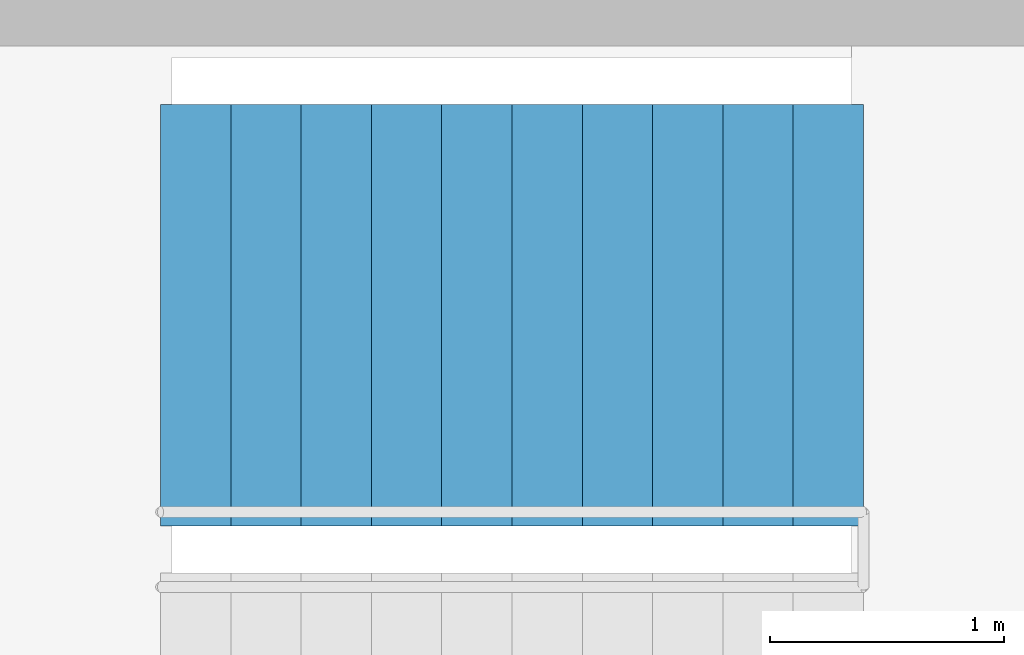
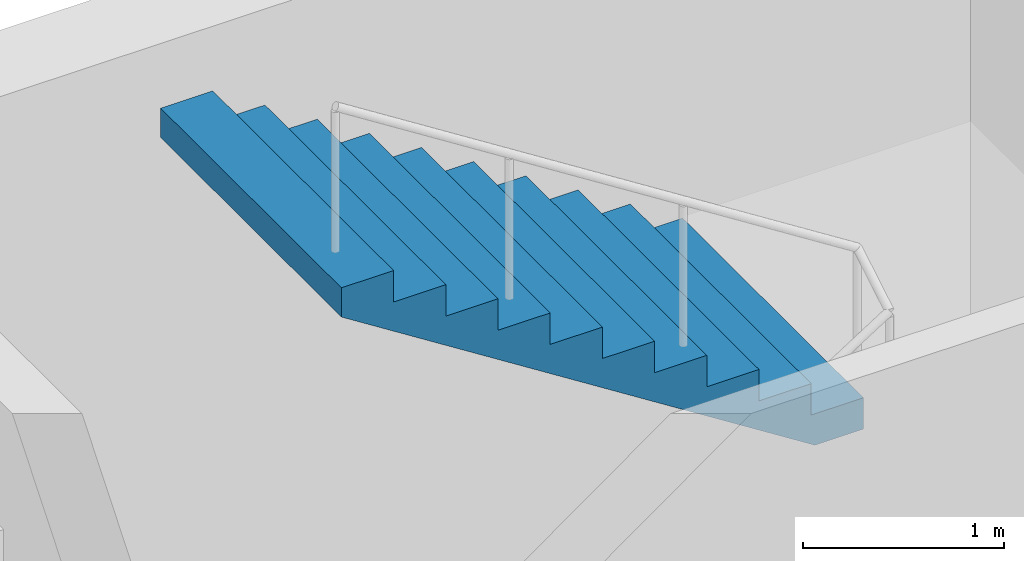
# One storey, part 13 of 16: 1 stair flight, 1 element without a shape of its own.
"""IFC4 building model written with IfcOpenShell, lengths in metres."""

from ifc_helpers import new_model, si_unit, direction, frame, origin, place, context, subcontext, project, spatial, polyline, outline, extrude, material, type_object, element, aggregate, save


model = new_model("IFC4")

# Units and contexts
model_context = context("Model", 3, precision=1e-05, world=origin(), true_north=direction((0.0, 1.0)))
body_context = subcontext(model_context, "Body", "Model", "MODEL_VIEW")
ifc_project = project(units=[si_unit("LENGTHUNIT", "METRE"), si_unit("AREAUNIT", "SQUARE_METRE"), si_unit("VOLUMEUNIT", "CUBIC_METRE"), si_unit("PLANEANGLEUNIT", "RADIAN"), si_unit("MASSUNIT", "GRAM", prefix="KILO")], contexts=[model_context])

# Site, building, storey
site_placement = place(None, origin())
site = spatial("IfcSite", under=ifc_project, at=site_placement, CompositionType="ELEMENT")
building_placement = place(site_placement, origin())
building = spatial("IfcBuilding", under=site, at=building_placement, Name="Crosswind Convention Tower", CompositionType="ELEMENT")
storey_placement = place(building_placement, frame((0.0, 0.0, 295.5)))
storey = spatial("IfcBuildingStorey", under=building, at=storey_placement, Name="L64", CompositionType="ELEMENT", Elevation=295.5)

# Stair, stair flight
ifc_material = material(Name="Concrete C40/50", Category="concrete")
stair_type = type_object("IfcStairType", Name="Exit stair 1800 wide, 2 flights of 11 risers", PredefinedType="HALF_TURN_STAIR", material=ifc_material)
stair_placement = place(storey_placement, origin())
stair = element("IfcStair", 1, at=stair_placement, inside=storey, type_object=stair_type, Name="Exit stair ST1 L64", ObjectType="ST5", PredefinedType="HALF_TURN_STAIR")
stair_flight_type = type_object("IfcStairFlightType", Name="Stair flight 1800 wide, 11 risers (SF4)", PredefinedType="STRAIGHT", material=ifc_material)
stair_flight_placement = place(storey_placement, frame((142.10009765625, 110.60009765625, 2.10009765625), z_axis=(0.0, 0.0, 1.0), x_axis=(-1.0, 0.0, 0.0)))
stair_flight = element("IfcStairFlight", 2, at=stair_flight_placement, type_object=stair_flight_type, Name="ST1 flight 2", NumberOfRisers=11, NumberOfTreads=10, PredefinedType="STRAIGHT", RiserHeight=0.190909091, TreadLength=0.3, context=body_context, shape_type="SweptSolid", body=[
    extrude(outline(polyline([(0.0, 0.0), (0.0, 0.19091796875), (0.300048828125, 0.19091796875), (0.300048828125, 0.3818359375), (0.60009765625, 0.3818359375), (0.60009765625, 0.57275390625), (0.89990234375, 0.57275390625), (0.89990234375, 0.763671875), (1.199951171875, 0.763671875), (1.199951171875, 0.95458984375), (1.5, 0.95458984375), (1.5, 1.1455078125), (1.800048828125, 1.1455078125), (1.800048828125, 1.33642578125), (2.10009765625, 1.33642578125), (2.10009765625, 1.52734375), (2.39990234375, 1.52734375), (2.39990234375, 1.71826171875), (2.699951171875, 1.71826171875), (2.699951171875, 1.9091796875), (3.0, 1.9091796875), (3.0, 2.10009765625), (3.0, 1.7314453125), (0.279296875, 0.0), (0.0, 0.0)])), frame((0.0, 0.89990234375, 0.0), z_axis=(0.0, -1.0, 0.0), x_axis=(1.0, 0.0, 0.0)), (0.0, 0.0, 1.0), 1.800048828125),
])
aggregate(stair, [stair_flight])

save(model, "model.ifc")
